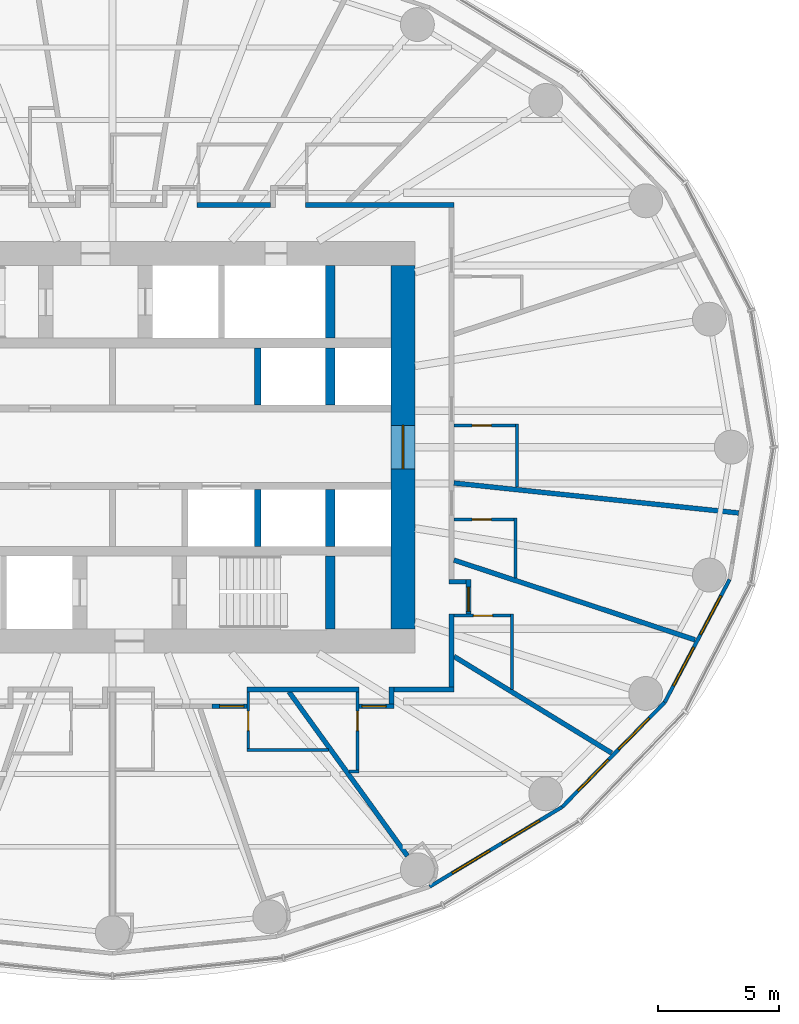
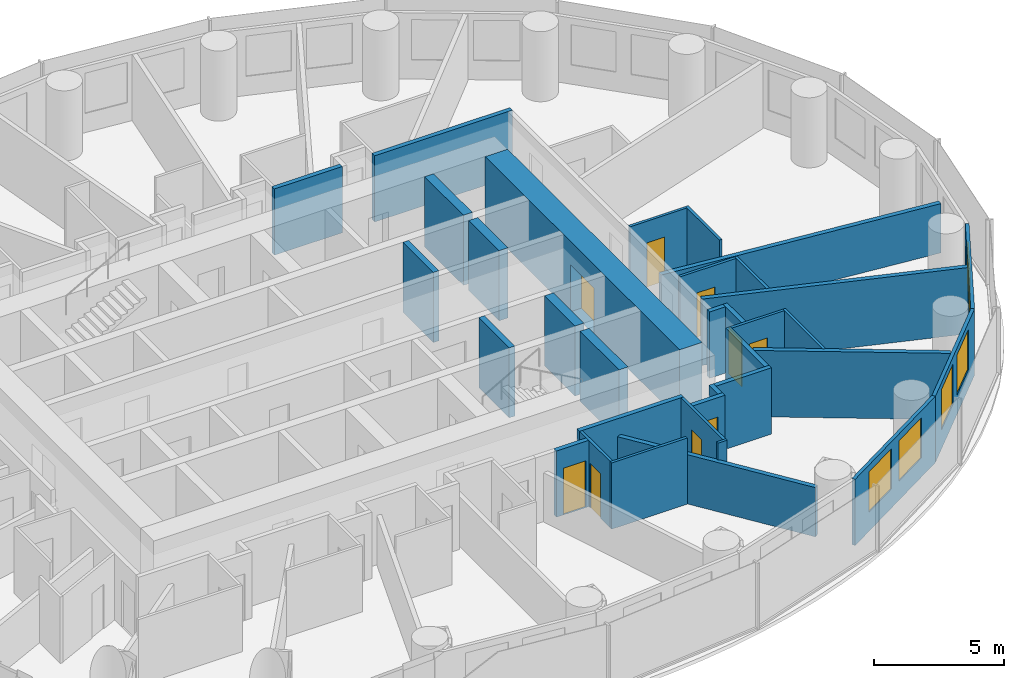
# One storey, part 10 of 14: 34 walls, 9 doors, 6 windows, 15 openings.
"""IFC4 building model written with IfcOpenShell, lengths in metres."""

from ifc_helpers import new_model, si_unit, direction, frame, frame_2d, origin, place, context, subcontext, project, spatial, rectangle, extrude, material, layer, layer_set, type_object, element, fill, save


model = new_model("IFC4")

# Units and contexts
model_context = context("Model", 3, precision=1e-05, world=origin(), true_north=direction((0.0, 1.0)))
body_context = subcontext(model_context, "Body", "Model", "MODEL_VIEW")
ifc_project = project(units=[si_unit("LENGTHUNIT", "METRE"), si_unit("AREAUNIT", "SQUARE_METRE"), si_unit("VOLUMEUNIT", "CUBIC_METRE"), si_unit("PLANEANGLEUNIT", "RADIAN"), si_unit("MASSUNIT", "GRAM", prefix="KILO")], contexts=[model_context])

# Site, building, storey
site_placement = place(None, origin())
site = spatial("IfcSite", under=ifc_project, at=site_placement, CompositionType="ELEMENT")
building_placement = place(site_placement, origin())
building = spatial("IfcBuilding", under=site, at=building_placement, Name="Hankou Lantern Tower", CompositionType="ELEMENT")
storey_placement = place(building_placement, frame((0.0, 0.0, 50.699951171875)))
storey = spatial("IfcBuildingStorey", under=building, at=storey_placement, Name="L11", CompositionType="ELEMENT", Elevation=50.699951171875)

# Wall, opening, door
ifc_material_1 = material(Name="Concrete C60", Category="concrete")
ifc_layer_1 = layer(ifc_material_1, 1.0)
ifc_layer_set_1 = layer_set([ifc_layer_1], Name="Concrete C60")
wall_type_1 = type_object("IfcWallType", Name="CW1 CORE WALL 1000", PredefinedType="SHEAR", material=ifc_layer_set_1)
wall_1_placement = place(storey_placement, frame((12.0, -7.5, 0.0), z_axis=(0.0, 0.0, 1.0), x_axis=(0.0, 1.0, 0.0)))
wall_1 = element("IfcWall", 1, at=wall_1_placement, inside=storey, type_object=wall_type_1, Name="Core wall east L11", PredefinedType="SHEAR", context=body_context, shape_type="SweptSolid", body=[
    extrude(rectangle(XDim=15.0, YDim=1.0, at=frame_2d((7.5, 0.0))), origin(), (0.0, 0.0, 1.0), 3.300048828125),
])
opening_1_placement = place(wall_1_placement, frame((6.60009765625, 0.0, 0.0)))
opening_1 = element("IfcOpeningElement", 2, at=opening_1_placement, cuts=wall_1, Name="Opening D6", PredefinedType="OPENING", context=body_context, shape_type="SweptSolid", body=[
    extrude(rectangle(XDim=1.800048828125, YDim=2.199951171875, at=frame_2d((0.89990234375, 1.10009765625))), frame((0.0, 0.510009765625, 0.0), z_axis=(0.0, -1.0, 0.0), x_axis=(1.0, 0.0, 0.0)), (0.0, 0.0, 1.0), 1.02001953125),
])
ifc_material_2 = material(Name="Steel door leaf", Category="steel")
door_type_1 = type_object("IfcDoorType", Name="D6 LIFT LOBBY DOOR 1800X2200", OperationType="DOUBLE_DOOR_DOUBLE_SWING", PredefinedType="DOOR", material=ifc_material_2)
door_1_placement = place(opening_1_placement, origin())
door_1 = element("IfcDoor", 3, at=door_1_placement, inside=storey, type_object=door_type_1, Name="Lift lobby east door", OperationType="DOUBLE_DOOR_DOUBLE_SWING", OverallHeight=2.199951171875, OverallWidth=1.800048828125, PredefinedType="DOOR", context=body_context, shape_type="SweptSolid", body=[
    extrude(rectangle(XDim=1.800048828125, YDim=2.199951171875, at=frame_2d((0.89990234375, 1.10009765625))), frame((0.0, 0.02490234375, 0.0), z_axis=(0.0, -1.0, 0.0), x_axis=(1.0, 0.0, 0.0)), (0.0, 0.0, 1.0), 0.050048828125),
])
fill(opening_1, door_1)

# Walls
ifc_material_3 = material(Name="Concrete C60", Category="concrete")
ifc_layer_2 = layer(ifc_material_3, 0.39990234375)
ifc_layer_set_2 = layer_set([ifc_layer_2], Name="Concrete C60")
wall_type_2 = type_object("IfcWallType", Name="CW4 CORE CROSS WALL 400", PredefinedType="SHEAR", material=ifc_layer_set_2)
wall_2_placement = place(storey_placement, frame((9.0, 4.5, 0.0), z_axis=(0.0, 0.0, 1.0), x_axis=(0.0, 1.0, 0.0)))
element("IfcWall", 4, at=wall_2_placement, inside=storey, type_object=wall_type_2, Name="Core strip wall L11", PredefinedType="SHEAR", context=body_context, shape_type="SweptSolid", body=[
    extrude(rectangle(XDim=3.0, YDim=0.39990234375, at=frame_2d((1.5, 0.0))), origin(), (0.0, 0.0, 1.0), 3.300048828125),
])
for number, where, z_axis, x_axis, name in (
    (5, (9.0, 1.75, 0.0), (0.0, 0.0, 1.0), (0.0, 1.0, 0.0), "Core strip wall L11"),
    (6, (9.0, -4.10009765625, 0.0), (0.0, 0.0, 1.0), (0.0, 1.0, 0.0), "Core strip wall L11"),
):
    element("IfcWall", number, at=place(storey_placement, frame(where, z_axis=z_axis, x_axis=x_axis)), inside=storey, type_object=wall_type_2, Name=name, PredefinedType="SHEAR", context=body_context, shape_type="SweptSolid", body=[
        extrude(rectangle(XDim=2.35009765625, YDim=0.39990234375, at=frame_2d((1.175048828125, 0.0))), origin(), (0.0, 0.0, 1.0), 3.300048828125),
    ])
wall_3_placement = place(storey_placement, frame((9.0, -7.5, 0.0), z_axis=(0.0, 0.0, 1.0), x_axis=(0.0, 1.0, 0.0)))
element("IfcWall", 7, at=wall_3_placement, inside=storey, type_object=wall_type_2, Name="Core strip wall L11", PredefinedType="SHEAR", context=body_context, shape_type="SweptSolid", body=[
    extrude(rectangle(XDim=3.0, YDim=0.39990234375, at=frame_2d((1.5, 0.0))), origin(), (0.0, 0.0, 1.0), 3.300048828125),
])

# Wall, openings, windows
ifc_material_4 = material(Name="Aluminium spandrel panel on steel studs", Category="steel")
ifc_layer_3 = layer(ifc_material_4, 0.14990234375)
ifc_layer_set_3 = layer_set([ifc_layer_3], Name="Aluminium spandrel panel on steel studs")
wall_type_3 = type_object("IfcWallType", Name="EW1 INNER SKIN WALL 150", PredefinedType="ELEMENTEDWALL", material=ifc_layer_set_3)
wall_4_placement = place(storey_placement, frame((13.096435546875, -18.14697265625, 0.0), z_axis=(0.0, 0.0, 1.0), x_axis=(0.856983180864, 0.515344377787, 0.0)))
wall_4 = element("IfcWall", 8, at=wall_4_placement, inside=storey, type_object=wall_type_3, Name="Inner skin R21-R22 L11", PredefinedType="ELEMENTEDWALL", context=body_context, shape_type="SweptSolid", body=[
    extrude(rectangle(XDim=6.386474609375, YDim=0.14990234375, at=frame_2d((3.193359375, 0.0))), origin(), (0.0, 0.0, 1.0), 3.1201171875),
])
opening_2_placement = place(wall_4_placement, frame((1.09326171875, 0.0, 0.89990234375)))
opening_2 = element("IfcOpeningElement", 9, at=opening_2_placement, cuts=wall_4, Name="Opening W1", PredefinedType="OPENING", context=body_context, shape_type="SweptSolid", body=[
    extrude(rectangle(XDim=1.800048828125, YDim=1.89990234375, at=frame_2d((0.89990234375, 0.949951171875))), frame((0.0, 0.0849609375, 0.0), z_axis=(0.0, -1.0, 0.0), x_axis=(1.0, 0.0, 0.0)), (0.0, 0.0, 1.0), 0.169921875),
])
opening_3_placement = place(wall_4_placement, frame((3.4931640625, 0.0, 0.89990234375)))
opening_3 = element("IfcOpeningElement", 10, at=opening_3_placement, cuts=wall_4, Name="Opening W1", PredefinedType="OPENING", context=body_context, shape_type="SweptSolid", body=[
    extrude(rectangle(XDim=1.800048828125, YDim=1.89990234375, at=frame_2d((0.89990234375, 0.949951171875))), frame((0.0, 0.0849609375, 0.0), z_axis=(0.0, -1.0, 0.0), x_axis=(1.0, 0.0, 0.0)), (0.0, 0.0, 1.0), 0.169921875),
])
ifc_material_5 = material(Name="Aluminium framed double glazed window", Category="aluminium")
window_type = type_object("IfcWindowType", Name="W1 GUEST ROOM WINDOW 1800X1900", PartitioningType="DOUBLE_PANEL_VERTICAL", PredefinedType="WINDOW", material=ifc_material_5)
window_1_placement = place(opening_2_placement, origin())
window_1 = element("IfcWindow", 11, at=window_1_placement, inside=storey, type_object=window_type, Name="Window R21.1 L11", OverallHeight=1.89990234375, OverallWidth=1.800048828125, PartitioningType="SINGLE_PANEL", PredefinedType="WINDOW", context=body_context, shape_type="SweptSolid", body=[
    extrude(rectangle(XDim=1.800048828125, YDim=1.89990234375, at=frame_2d((0.89990234375, 0.949951171875))), frame((0.0, 0.030029296875, 0.0), z_axis=(0.0, -1.0, 0.0), x_axis=(1.0, 0.0, 0.0)), (0.0, 0.0, 1.0), 0.06005859375),
])
fill(opening_2, window_1)
window_2_placement = place(opening_3_placement, origin())
window_2 = element("IfcWindow", 12, at=window_2_placement, inside=storey, type_object=window_type, Name="Window R21.2 L11", OverallHeight=1.89990234375, OverallWidth=1.800048828125, PartitioningType="SINGLE_PANEL", PredefinedType="WINDOW", context=body_context, shape_type="SweptSolid", body=[
    extrude(rectangle(XDim=1.800048828125, YDim=1.89990234375, at=frame_2d((0.89990234375, 0.949951171875))), frame((0.0, 0.030029296875, 0.0), z_axis=(0.0, -1.0, 0.0), x_axis=(1.0, 0.0, 0.0)), (0.0, 0.0, 1.0), 0.06005859375),
])
fill(opening_3, window_2)

wall_5_placement = place(storey_placement, frame((18.569580078125, -14.855712890625, 0.0), z_axis=(0.0, 0.0, 1.0), x_axis=(0.699602905915, 0.714531856557, 0.0)))
wall_5 = element("IfcWall", 13, at=wall_5_placement, inside=storey, type_object=wall_type_3, Name="Inner skin R22-R23 L11", PredefinedType="ELEMENTEDWALL", context=body_context, shape_type="SweptSolid", body=[
    extrude(rectangle(XDim=6.05078125, YDim=0.14990234375, at=frame_2d((3.025390625, 0.0))), origin(), (0.0, 0.0, 1.0), 3.1201171875),
])
opening_4_placement = place(wall_5_placement, frame((0.925537109375, 0.0, 0.89990234375)))
opening_4 = element("IfcOpeningElement", 14, at=opening_4_placement, cuts=wall_5, Name="Opening W1", PredefinedType="OPENING", context=body_context, shape_type="SweptSolid", body=[
    extrude(rectangle(XDim=1.800048828125, YDim=1.89990234375, at=frame_2d((0.89990234375, 0.949951171875))), frame((0.0, 0.0849609375, 0.0), z_axis=(0.0, -1.0, 0.0), x_axis=(1.0, 0.0, 0.0)), (0.0, 0.0, 1.0), 0.169921875),
])
opening_5_placement = place(wall_5_placement, frame((3.325439453125, 0.0, 0.89990234375)))
opening_5 = element("IfcOpeningElement", 15, at=opening_5_placement, cuts=wall_5, Name="Opening W1", PredefinedType="OPENING", context=body_context, shape_type="SweptSolid", body=[
    extrude(rectangle(XDim=1.800048828125, YDim=1.89990234375, at=frame_2d((0.89990234375, 0.949951171875))), frame((0.0, 0.0849609375, 0.0), z_axis=(0.0, -1.0, 0.0), x_axis=(1.0, 0.0, 0.0)), (0.0, 0.0, 1.0), 0.169921875),
])
window_3_placement = place(opening_4_placement, origin())
window_3 = element("IfcWindow", 16, at=window_3_placement, inside=storey, type_object=window_type, Name="Window R22.1 L11", OverallHeight=1.89990234375, OverallWidth=1.800048828125, PartitioningType="SINGLE_PANEL", PredefinedType="WINDOW", context=body_context, shape_type="SweptSolid", body=[
    extrude(rectangle(XDim=1.800048828125, YDim=1.89990234375, at=frame_2d((0.89990234375, 0.949951171875))), frame((0.0, 0.030029296875, 0.0), z_axis=(0.0, -1.0, 0.0), x_axis=(1.0, 0.0, 0.0)), (0.0, 0.0, 1.0), 0.06005859375),
])
fill(opening_4, window_3)
window_4_placement = place(opening_5_placement, origin())
window_4 = element("IfcWindow", 17, at=window_4_placement, inside=storey, type_object=window_type, Name="Window R22.2 L11", OverallHeight=1.89990234375, OverallWidth=1.800048828125, PartitioningType="SINGLE_PANEL", PredefinedType="WINDOW", context=body_context, shape_type="SweptSolid", body=[
    extrude(rectangle(XDim=1.800048828125, YDim=1.89990234375, at=frame_2d((0.89990234375, 0.949951171875))), frame((0.0, 0.030029296875, 0.0), z_axis=(0.0, -1.0, 0.0), x_axis=(1.0, 0.0, 0.0)), (0.0, 0.0, 1.0), 0.06005859375),
])
fill(opening_5, window_4)

wall_6_placement = place(storey_placement, frame((22.802734375, -10.5322265625, 0.0), z_axis=(0.0, 0.0, 1.0), x_axis=(0.467296867008, 0.884100468321, 0.0)))
wall_6 = element("IfcWall", 18, at=wall_6_placement, inside=storey, type_object=wall_type_3, Name="Inner skin R23-R24 L11", PredefinedType="ELEMENTEDWALL", context=body_context, shape_type="SweptSolid", body=[
    extrude(rectangle(XDim=5.734375, YDim=0.14990234375, at=frame_2d((2.8671875, 0.0))), origin(), (0.0, 0.0, 1.0), 3.1201171875),
])
opening_6_placement = place(wall_6_placement, frame((0.76708984375, 0.0, 0.89990234375)))
opening_6 = element("IfcOpeningElement", 19, at=opening_6_placement, cuts=wall_6, Name="Opening W1", PredefinedType="OPENING", context=body_context, shape_type="SweptSolid", body=[
    extrude(rectangle(XDim=1.800048828125, YDim=1.89990234375, at=frame_2d((0.89990234375, 0.949951171875))), frame((0.0, 0.0849609375, 0.0), z_axis=(0.0, -1.0, 0.0), x_axis=(1.0, 0.0, 0.0)), (0.0, 0.0, 1.0), 0.169921875),
])
opening_7_placement = place(wall_6_placement, frame((3.167236328125, 0.0, 0.89990234375)))
opening_7 = element("IfcOpeningElement", 20, at=opening_7_placement, cuts=wall_6, Name="Opening W1", PredefinedType="OPENING", context=body_context, shape_type="SweptSolid", body=[
    extrude(rectangle(XDim=1.800048828125, YDim=1.89990234375, at=frame_2d((0.89990234375, 0.949951171875))), frame((0.0, 0.0849609375, 0.0), z_axis=(0.0, -1.0, 0.0), x_axis=(1.0, 0.0, 0.0)), (0.0, 0.0, 1.0), 0.169921875),
])
window_5_placement = place(opening_6_placement, origin())
window_5 = element("IfcWindow", 21, at=window_5_placement, inside=storey, type_object=window_type, Name="Window R23.1 L11", OverallHeight=1.89990234375, OverallWidth=1.800048828125, PartitioningType="SINGLE_PANEL", PredefinedType="WINDOW", context=body_context, shape_type="SweptSolid", body=[
    extrude(rectangle(XDim=1.800048828125, YDim=1.89990234375, at=frame_2d((0.89990234375, 0.949951171875))), frame((0.0, 0.030029296875, 0.0), z_axis=(0.0, -1.0, 0.0), x_axis=(1.0, 0.0, 0.0)), (0.0, 0.0, 1.0), 0.06005859375),
])
fill(opening_6, window_5)
window_6_placement = place(opening_7_placement, origin())
window_6 = element("IfcWindow", 22, at=window_6_placement, inside=storey, type_object=window_type, Name="Window R23.2 L11", OverallHeight=1.89990234375, OverallWidth=1.800048828125, PartitioningType="SINGLE_PANEL", PredefinedType="WINDOW", context=body_context, shape_type="SweptSolid", body=[
    extrude(rectangle(XDim=1.800048828125, YDim=1.89990234375, at=frame_2d((0.89990234375, 0.949951171875))), frame((0.0, 0.030029296875, 0.0), z_axis=(0.0, -1.0, 0.0), x_axis=(1.0, 0.0, 0.0)), (0.0, 0.0, 1.0), 0.06005859375),
])
fill(opening_7, window_6)

# Walls
ifc_material_6 = material(Name="Masonry lightweight concrete block", Category="masonry")
ifc_layer_4 = layer(ifc_material_6, 0.199951171875)
ifc_layer_set_4 = layer_set([ifc_layer_4], Name="Masonry lightweight concrete block")
wall_type_4 = type_object("IfcWallType", Name="IW1 GUEST ROOM PARTY WALL 200", PredefinedType="PARTITIONING", material=ifc_layer_set_4)
wall_7_placement = place(storey_placement, frame((7.2890625, -10.10009765625, 0.0), z_axis=(0.0, 0.0, 1.0), x_axis=(0.585198353053, -0.810890182197, 0.0)))
element("IfcWall", 23, at=wall_7_placement, inside=storey, type_object=wall_type_4, Name="Party wall R21", PredefinedType="PARTITIONING", context=body_context, shape_type="SweptSolid", body=[
    extrude(rectangle(XDim=8.359619140625, YDim=0.199951171875, at=frame_2d((4.1796875, 0.0))), origin(), (0.0, 0.0, 1.0), 2.320068359375),
])
wall_8_placement = place(storey_placement, frame((14.10009765625, -8.638916015625, 0.0), z_axis=(0.0, 0.0, 1.0), x_axis=(0.852672493023, -0.522445805459, 0.0)))
element("IfcWall", 24, at=wall_8_placement, inside=storey, type_object=wall_type_4, Name="Party wall R22-R23", PredefinedType="PARTITIONING", context=body_context, shape_type="SweptSolid", body=[
    extrude(rectangle(XDim=7.63330078125, YDim=0.199951171875, at=frame_2d((3.816650390625, 0.0))), origin(), (0.0, 0.0, 1.0), 3.1201171875),
])
wall_9_placement = place(storey_placement, frame((14.10009765625, -4.6630859375, 0.0), z_axis=(0.0, 0.0, 1.0), x_axis=(0.949432655039, -0.31397075269, 0.0)))
element("IfcWall", 25, at=wall_9_placement, inside=storey, type_object=wall_type_4, Name="Party wall R23-R24", PredefinedType="PARTITIONING", context=body_context, shape_type="SweptSolid", body=[
    extrude(rectangle(XDim=10.48583984375, YDim=0.199951171875, at=frame_2d((5.242919921875, 0.0))), origin(), (0.0, 0.0, 1.0), 3.1201171875),
])
wall_10_placement = place(storey_placement, frame((14.10009765625, -1.48193359375, 0.0), z_axis=(0.0, 0.0, 1.0), x_axis=(0.994522076235, -0.104526742422, 0.0)))
element("IfcWall", 26, at=wall_10_placement, inside=storey, type_object=wall_type_4, Name="Party wall R24-R01", PredefinedType="PARTITIONING", context=body_context, shape_type="SweptSolid", body=[
    extrude(rectangle(XDim=11.82080078125, YDim=0.199951171875, at=frame_2d((5.910400390625, 0.0))), origin(), (0.0, 0.0, 1.0), 2.320068359375),
])

# Wall, opening, door
ifc_material_7 = material(Name="Masonry lightweight concrete block", Category="masonry")
ifc_layer_5 = layer(ifc_material_7, 0.199951171875)
ifc_layer_set_5 = layer_set([ifc_layer_5], Name="Masonry lightweight concrete block")
wall_type_5 = type_object("IfcWallType", Name="IW2 CORRIDOR WALL 200", PredefinedType="PARTITIONING", material=ifc_layer_set_5)
wall_11_placement = place(storey_placement, frame((5.549072265625, -10.699951171875, 0.0), z_axis=(0.0, 0.0, 1.0), x_axis=(-1.0, 0.0, 0.0)))
wall_11 = element("IfcWall", 27, at=wall_11_placement, inside=storey, type_object=wall_type_5, Name="Corridor recess wall 1116 back", PredefinedType="PARTITIONING", context=body_context, shape_type="SweptSolid", body=[
    extrude(rectangle(XDim=1.43994140625, YDim=0.199951171875, at=frame_2d((0.719970703125, 0.0))), origin(), (0.0, 0.0, 1.0), 3.1201171875),
])
opening_8_placement = place(wall_11_placement, frame((0.1201171875, 0.0, 0.0)))
opening_8 = element("IfcOpeningElement", 28, at=opening_8_placement, cuts=wall_11, Name="Opening D1", PredefinedType="OPENING", context=body_context, shape_type="SweptSolid", body=[
    extrude(rectangle(XDim=1.0, YDim=2.199951171875, at=frame_2d((0.5, 1.10009765625))), frame((0.0, 0.10986328125, 0.0), z_axis=(0.0, -1.0, 0.0), x_axis=(1.0, 0.0, 0.0)), (0.0, 0.0, 1.0), 0.219970703125),
])
ifc_material_8 = material(Name="Steel door leaf", Category="steel")
door_type_2 = type_object("IfcDoorType", Name="D1 GUEST ROOM DOOR 1000X2200", OperationType="SINGLE_SWING_LEFT", PredefinedType="DOOR", material=ifc_material_8)
door_2_placement = place(opening_8_placement, origin())
door_2 = element("IfcDoor", 29, at=door_2_placement, inside=storey, type_object=door_type_2, Name="Guest room door 1116", OperationType="SINGLE_SWING_LEFT", OverallHeight=2.199951171875, OverallWidth=1.0, PredefinedType="DOOR", context=body_context, shape_type="SweptSolid", body=[
    extrude(rectangle(XDim=1.0, YDim=2.199951171875, at=frame_2d((0.5, 1.10009765625))), frame((0.0, 0.02490234375, 0.0), z_axis=(0.0, -1.0, 0.0), x_axis=(1.0, 0.0, 0.0)), (0.0, 0.0, 1.0), 0.050048828125),
])
fill(opening_8, door_2)

wall_12_placement = place(storey_placement, frame((11.619140625, -10.699951171875, 0.0), z_axis=(0.0, 0.0, 1.0), x_axis=(-1.0, 0.0, 0.0)))
wall_12 = element("IfcWall", 30, at=wall_12_placement, inside=storey, type_object=wall_type_5, Name="Corridor recess wall 1117 back", PredefinedType="PARTITIONING", context=body_context, shape_type="SweptSolid", body=[
    extrude(rectangle(XDim=1.440185546875, YDim=0.199951171875, at=frame_2d((0.72021484375, 0.0))), origin(), (0.0, 0.0, 1.0), 3.1201171875),
])
opening_9_placement = place(wall_12_placement, frame((0.320068359375, 0.0, 0.0)))
opening_9 = element("IfcOpeningElement", 31, at=opening_9_placement, cuts=wall_12, Name="Opening D1", PredefinedType="OPENING", context=body_context, shape_type="SweptSolid", body=[
    extrude(rectangle(XDim=1.0, YDim=2.199951171875, at=frame_2d((0.5, 1.10009765625))), frame((0.0, 0.10986328125, 0.0), z_axis=(0.0, -1.0, 0.0), x_axis=(1.0, 0.0, 0.0)), (0.0, 0.0, 1.0), 0.219970703125),
])
door_3_placement = place(opening_9_placement, origin())
door_3 = element("IfcDoor", 32, at=door_3_placement, inside=storey, type_object=door_type_2, Name="Guest room door 1117", OperationType="SINGLE_SWING_RIGHT", OverallHeight=2.199951171875, OverallWidth=1.0, PredefinedType="DOOR", context=body_context, shape_type="SweptSolid", body=[
    extrude(rectangle(XDim=1.0, YDim=2.199951171875, at=frame_2d((0.5, 1.10009765625))), frame((0.0, 0.02490234375, 0.0), z_axis=(0.0, -1.0, 0.0), x_axis=(1.0, 0.0, 0.0)), (0.0, 0.0, 1.0), 0.050048828125),
])
fill(opening_9, door_3)

# Wall
wall_13_placement = place(storey_placement, frame((11.51904296875, -9.89990234375, 0.0), z_axis=(0.0, 0.0, 1.0), x_axis=(0.0, -1.0, 0.0)))
element("IfcWall", 33, at=wall_13_placement, inside=storey, type_object=wall_type_5, Name="Corridor recess wall 1117 side", PredefinedType="PARTITIONING", context=body_context, shape_type="SweptSolid", body=[
    extrude(rectangle(XDim=0.7001953125, YDim=0.199951171875, at=frame_2d((0.35009765625, 0.0))), origin(), (0.0, 0.0, 1.0), 3.1201171875),
])

# Wall, opening, door
wall_14_placement = place(storey_placement, frame((14.699951171875, -6.89892578125, 0.0), z_axis=(0.0, 0.0, 1.0), x_axis=(0.0, 1.0, 0.0)))
wall_14 = element("IfcWall", 34, at=wall_14_placement, inside=storey, type_object=wall_type_5, Name="Corridor recess wall 1118 back", PredefinedType="PARTITIONING", context=body_context, shape_type="SweptSolid", body=[
    extrude(rectangle(XDim=1.43994140625, YDim=0.199951171875, at=frame_2d((0.719970703125, 0.0))), origin(), (0.0, 0.0, 1.0), 3.1201171875),
])
opening_10_placement = place(wall_14_placement, frame((0.1201171875, 0.0, 0.0)))
opening_10 = element("IfcOpeningElement", 35, at=opening_10_placement, cuts=wall_14, Name="Opening D1", PredefinedType="OPENING", context=body_context, shape_type="SweptSolid", body=[
    extrude(rectangle(XDim=1.0, YDim=2.199951171875, at=frame_2d((0.5, 1.10009765625))), frame((0.0, 0.10986328125, 0.0), z_axis=(0.0, -1.0, 0.0), x_axis=(1.0, 0.0, 0.0)), (0.0, 0.0, 1.0), 0.219970703125),
])
door_4_placement = place(opening_10_placement, origin())
door_4 = element("IfcDoor", 36, at=door_4_placement, inside=storey, type_object=door_type_2, Name="Guest room door 1118", OperationType="SINGLE_SWING_LEFT", OverallHeight=2.199951171875, OverallWidth=1.0, PredefinedType="DOOR", context=body_context, shape_type="SweptSolid", body=[
    extrude(rectangle(XDim=1.0, YDim=2.199951171875, at=frame_2d((0.5, 1.10009765625))), frame((0.0, 0.02490234375, 0.0), z_axis=(0.0, -1.0, 0.0), x_axis=(1.0, 0.0, 0.0)), (0.0, 0.0, 1.0), 0.050048828125),
])
fill(opening_10, door_4)

# Walls
wall_15_placement = place(storey_placement, frame((13.89990234375, -5.55908203125, 0.0), z_axis=(0.0, 0.0, 1.0), x_axis=(1.0, 0.0, 0.0)))
element("IfcWall", 37, at=wall_15_placement, inside=storey, type_object=wall_type_5, Name="Corridor recess wall 1118 side", PredefinedType="PARTITIONING", context=body_context, shape_type="SweptSolid", body=[
    extrude(rectangle(XDim=0.7001953125, YDim=0.199951171875, at=frame_2d((0.35009765625, 0.0))), origin(), (0.0, 0.0, 1.0), 3.1201171875),
])
wall_16_placement = place(storey_placement, frame((3.49853515625, 10.0, 0.0), z_axis=(0.0, 0.0, 1.0), x_axis=(1.0, 0.0, 0.0)))
element("IfcWall", 38, at=wall_16_placement, inside=storey, type_object=wall_type_5, Name="Corridor wall north", PredefinedType="PARTITIONING", context=body_context, shape_type="SweptSolid", body=[
    extrude(rectangle(XDim=3.026611328125, YDim=0.199951171875, at=frame_2d((1.51318359375, 0.0))), origin(), (0.0, 0.0, 1.0), 3.1201171875),
])
wall_17_placement = place(storey_placement, frame((7.965087890625, 10.0, 0.0), z_axis=(0.0, 0.0, 1.0), x_axis=(1.0, 0.0, 0.0)))
element("IfcWall", 39, at=wall_17_placement, inside=storey, type_object=wall_type_5, Name="Corridor wall north", PredefinedType="PARTITIONING", context=body_context, shape_type="SweptSolid", body=[
    extrude(rectangle(XDim=6.135009765625, YDim=0.199951171875, at=frame_2d((3.0673828125, 0.0))), origin(), (0.0, 0.0, 1.0), 3.1201171875),
])
wall_18_placement = place(storey_placement, frame((14.10009765625, -10.0, 0.0), z_axis=(0.0, 0.0, 1.0), x_axis=(-1.0, 0.0, 0.0)))
element("IfcWall", 40, at=wall_18_placement, inside=storey, type_object=wall_type_5, Name="Corridor wall south", PredefinedType="PARTITIONING", context=body_context, shape_type="SweptSolid", body=[
    extrude(rectangle(XDim=2.48095703125, YDim=0.199951171875, at=frame_2d((1.240478515625, 0.0))), origin(), (0.0, 0.0, 1.0), 3.1201171875),
])
wall_19_placement = place(storey_placement, frame((10.178955078125, -10.0, 0.0), z_axis=(0.0, 0.0, 1.0), x_axis=(-1.0, 0.0, 0.0)))
element("IfcWall", 41, at=wall_19_placement, inside=storey, type_object=wall_type_5, Name="Corridor wall south", PredefinedType="PARTITIONING", context=body_context, shape_type="SweptSolid", body=[
    extrude(rectangle(XDim=4.6298828125, YDim=0.199951171875, at=frame_2d((2.31494140625, 0.0))), origin(), (0.0, 0.0, 1.0), 3.1201171875),
])
wall_20_placement = place(storey_placement, frame((14.0, -9.89990234375, 0.0), z_axis=(0.0, 0.0, 1.0), x_axis=(0.0, 1.0, 0.0)))
element("IfcWall", 42, at=wall_20_placement, inside=storey, type_object=wall_type_5, Name="Corridor wall east", PredefinedType="PARTITIONING", context=body_context, shape_type="SweptSolid", body=[
    extrude(rectangle(XDim=3.0009765625, YDim=0.199951171875, at=frame_2d((1.50048828125, 0.0))), origin(), (0.0, 0.0, 1.0), 3.1201171875),
])
ifc_material_9 = material(Name="Masonry lightweight concrete block", Category="masonry")
ifc_layer_6 = layer(ifc_material_9, 0.1201171875)
ifc_layer_set_6 = layer_set([ifc_layer_6], Name="Masonry lightweight concrete block")
wall_type_6 = type_object("IfcWallType", Name="IW3 BATHROOM WALL 120", PredefinedType="PARTITIONING", material=ifc_layer_set_6)
wall_21_placement = place(storey_placement, frame((8.921142578125, -12.5, 0.0), z_axis=(0.0, 0.0, 1.0), x_axis=(-1.0, 0.0, 0.0)))
element("IfcWall", 43, at=wall_21_placement, inside=storey, type_object=wall_type_6, Name="Box wall 1116 1", PredefinedType="PARTITIONING", context=body_context, shape_type="SweptSolid", body=[
    extrude(rectangle(XDim=3.3720703125, YDim=0.1201171875, at=frame_2d((1.68603515625, 0.0))), origin(), (0.0, 0.0, 1.0), 3.1201171875),
])

# Wall, opening, door
wall_22_placement = place(storey_placement, frame((5.609130859375, -10.10009765625, 0.0), z_axis=(0.0, 0.0, 1.0), x_axis=(0.0, -1.0, 0.0)))
wall_22 = element("IfcWall", 44, at=wall_22_placement, inside=storey, type_object=wall_type_6, Name="Box wall 1116 1", PredefinedType="PARTITIONING", context=body_context, shape_type="SweptSolid", body=[
    extrude(rectangle(XDim=2.33984375, YDim=0.1201171875, at=frame_2d((1.169921875, 0.0))), origin(), (0.0, 0.0, 1.0), 3.1201171875),
])
opening_11_placement = place(wall_22_placement, frame((0.800048828125, 0.0, 0.0)))
opening_11 = element("IfcOpeningElement", 45, at=opening_11_placement, cuts=wall_22, Name="Opening D3", PredefinedType="OPENING", context=body_context, shape_type="SweptSolid", body=[
    extrude(rectangle(XDim=0.800048828125, YDim=2.10009765625, at=frame_2d((0.39990234375, 1.050048828125))), frame((0.0, 0.070068359375, 0.0), z_axis=(0.0, -1.0, 0.0), x_axis=(1.0, 0.0, 0.0)), (0.0, 0.0, 1.0), 0.14013671875),
])
ifc_material_10 = material(Name="Timber door leaf", Category="wood")
door_type_3 = type_object("IfcDoorType", Name="D3 BATHROOM DOOR 800X2100", OperationType="SINGLE_SWING_LEFT", PredefinedType="DOOR", material=ifc_material_10)
door_5_placement = place(opening_11_placement, origin())
door_5 = element("IfcDoor", 46, at=door_5_placement, inside=storey, type_object=door_type_3, Name="En-suite bathroom 1116 door", OperationType="SINGLE_SWING_RIGHT", OverallHeight=2.10009765625, OverallWidth=0.800048828125, PredefinedType="DOOR", context=body_context, shape_type="SweptSolid", body=[
    extrude(rectangle(XDim=0.800048828125, YDim=2.10009765625, at=frame_2d((0.39990234375, 1.050048828125))), frame((0.0, 0.02490234375, 0.0), z_axis=(0.0, -1.0, 0.0), x_axis=(1.0, 0.0, 0.0)), (0.0, 0.0, 1.0), 0.050048828125),
])
fill(opening_11, door_5)

# Wall
wall_23_placement = place(storey_placement, frame((9.7705078125, -13.39990234375, 0.0), z_axis=(0.0, 0.0, 1.0), x_axis=(1.0, 0.0, 0.0)))
element("IfcWall", 47, at=wall_23_placement, inside=storey, type_object=wall_type_6, Name="Box wall 1117 1", PredefinedType="PARTITIONING", context=body_context, shape_type="SweptSolid", body=[
    extrude(rectangle(XDim=0.408447265625, YDim=0.1201171875, at=frame_2d((0.2041015625, 0.0))), origin(), (0.0, 0.0, 1.0), 3.1201171875),
])

# Wall, opening, door
wall_24_placement = place(storey_placement, frame((10.119140625, -10.10009765625, 0.0), z_axis=(0.0, 0.0, 1.0), x_axis=(0.0, -1.0, 0.0)))
wall_24 = element("IfcWall", 48, at=wall_24_placement, inside=storey, type_object=wall_type_6, Name="Box wall 1117 1", PredefinedType="PARTITIONING", context=body_context, shape_type="SweptSolid", body=[
    extrude(rectangle(XDim=3.239990234375, YDim=0.1201171875, at=frame_2d((1.6201171875, 0.0))), origin(), (0.0, 0.0, 1.0), 3.1201171875),
])
opening_12_placement = place(wall_24_placement, frame((0.800048828125, 0.0, 0.0)))
opening_12 = element("IfcOpeningElement", 49, at=opening_12_placement, cuts=wall_24, Name="Opening D3", PredefinedType="OPENING", context=body_context, shape_type="SweptSolid", body=[
    extrude(rectangle(XDim=0.800048828125, YDim=2.10009765625, at=frame_2d((0.39990234375, 1.050048828125))), frame((0.0, 0.070068359375, 0.0), z_axis=(0.0, -1.0, 0.0), x_axis=(1.0, 0.0, 0.0)), (0.0, 0.0, 1.0), 0.14013671875),
])
door_6_placement = place(opening_12_placement, origin())
door_6 = element("IfcDoor", 50, at=door_6_placement, inside=storey, type_object=door_type_3, Name="En-suite bathroom 1117 door", OperationType="SINGLE_SWING_LEFT", OverallHeight=2.10009765625, OverallWidth=0.800048828125, PredefinedType="DOOR", context=body_context, shape_type="SweptSolid", body=[
    extrude(rectangle(XDim=0.800048828125, YDim=2.10009765625, at=frame_2d((0.39990234375, 1.050048828125))), frame((0.0, 0.02490234375, 0.0), z_axis=(0.0, -1.0, 0.0), x_axis=(1.0, 0.0, 0.0)), (0.0, 0.0, 1.0), 0.050048828125),
])
fill(opening_12, door_6)

# Wall
wall_25_placement = place(storey_placement, frame((16.5, -10.009521484375, 0.0), z_axis=(0.0, 0.0, 1.0), x_axis=(0.0, 1.0, 0.0)))
element("IfcWall", 51, at=wall_25_placement, inside=storey, type_object=wall_type_6, Name="Box wall 1118 1", PredefinedType="PARTITIONING", context=body_context, shape_type="SweptSolid", body=[
    extrude(rectangle(XDim=3.110595703125, YDim=0.1201171875, at=frame_2d((1.55517578125, 0.0))), origin(), (0.0, 0.0, 1.0), 3.1201171875),
])

# Wall, opening, door
wall_26_placement = place(storey_placement, frame((14.10009765625, -6.958984375, 0.0), z_axis=(0.0, 0.0, 1.0), x_axis=(1.0, 0.0, 0.0)))
wall_26 = element("IfcWall", 52, at=wall_26_placement, inside=storey, type_object=wall_type_6, Name="Box wall 1118 1", PredefinedType="PARTITIONING", context=body_context, shape_type="SweptSolid", body=[
    extrude(rectangle(XDim=2.33984375, YDim=0.1201171875, at=frame_2d((1.169921875, 0.0))), origin(), (0.0, 0.0, 1.0), 3.1201171875),
])
opening_13_placement = place(wall_26_placement, frame((0.800048828125, 0.0, 0.0)))
opening_13 = element("IfcOpeningElement", 53, at=opening_13_placement, cuts=wall_26, Name="Opening D3", PredefinedType="OPENING", context=body_context, shape_type="SweptSolid", body=[
    extrude(rectangle(XDim=0.800048828125, YDim=2.10009765625, at=frame_2d((0.39990234375, 1.050048828125))), frame((0.0, 0.070068359375, 0.0), z_axis=(0.0, -1.0, 0.0), x_axis=(1.0, 0.0, 0.0)), (0.0, 0.0, 1.0), 0.14013671875),
])
door_7_placement = place(opening_13_placement, origin())
door_7 = element("IfcDoor", 54, at=door_7_placement, inside=storey, type_object=door_type_3, Name="En-suite bathroom 1118 door", OperationType="SINGLE_SWING_LEFT", OverallHeight=2.10009765625, OverallWidth=0.800048828125, PredefinedType="DOOR", context=body_context, shape_type="SweptSolid", body=[
    extrude(rectangle(XDim=0.800048828125, YDim=2.10009765625, at=frame_2d((0.39990234375, 1.050048828125))), frame((0.0, 0.02490234375, 0.0), z_axis=(0.0, -1.0, 0.0), x_axis=(1.0, 0.0, 0.0)), (0.0, 0.0, 1.0), 0.050048828125),
])
fill(opening_13, door_7)

# Wall
wall_27_placement = place(storey_placement, frame((16.64990234375, -5.40625, 0.0), z_axis=(0.0, 0.0, 1.0), x_axis=(0.0, 1.0, 0.0)))
element("IfcWall", 55, at=wall_27_placement, inside=storey, type_object=wall_type_6, Name="Box wall 1119 1", PredefinedType="PARTITIONING", context=body_context, shape_type="SweptSolid", body=[
    extrude(rectangle(XDim=2.483154296875, YDim=0.1201171875, at=frame_2d((1.24169921875, 0.0))), origin(), (0.0, 0.0, 1.0), 3.1201171875),
])

# Wall, opening, door
wall_28_placement = place(storey_placement, frame((14.10009765625, -2.98291015625, 0.0), z_axis=(0.0, 0.0, 1.0), x_axis=(1.0, 0.0, 0.0)))
wall_28 = element("IfcWall", 56, at=wall_28_placement, inside=storey, type_object=wall_type_6, Name="Box wall 1119 1", PredefinedType="PARTITIONING", context=body_context, shape_type="SweptSolid", body=[
    extrude(rectangle(XDim=2.489990234375, YDim=0.1201171875, at=frame_2d((1.2451171875, 0.0))), origin(), (0.0, 0.0, 1.0), 3.1201171875),
])
opening_14_placement = place(wall_28_placement, frame((0.75, 0.0, 0.0)))
opening_14 = element("IfcOpeningElement", 57, at=opening_14_placement, cuts=wall_28, Name="Opening D3", PredefinedType="OPENING", context=body_context, shape_type="SweptSolid", body=[
    extrude(rectangle(XDim=0.800048828125, YDim=2.10009765625, at=frame_2d((0.39990234375, 1.050048828125))), frame((0.0, 0.070068359375, 0.0), z_axis=(0.0, -1.0, 0.0), x_axis=(1.0, 0.0, 0.0)), (0.0, 0.0, 1.0), 0.14013671875),
])
door_8_placement = place(opening_14_placement, origin())
door_8 = element("IfcDoor", 58, at=door_8_placement, inside=storey, type_object=door_type_3, Name="En-suite bathroom 1119 door", OperationType="SINGLE_SWING_LEFT", OverallHeight=2.10009765625, OverallWidth=0.800048828125, PredefinedType="DOOR", context=body_context, shape_type="SweptSolid", body=[
    extrude(rectangle(XDim=0.800048828125, YDim=2.10009765625, at=frame_2d((0.39990234375, 1.050048828125))), frame((0.0, 0.02490234375, 0.0), z_axis=(0.0, -1.0, 0.0), x_axis=(1.0, 0.0, 0.0)), (0.0, 0.0, 1.0), 0.050048828125),
])
fill(opening_14, door_8)

# Wall
wall_29_placement = place(storey_placement, frame((16.699951171875, -1.6552734375, 0.0), z_axis=(0.0, 0.0, 1.0), x_axis=(0.0, 1.0, 0.0)))
element("IfcWall", 59, at=wall_29_placement, inside=storey, type_object=wall_type_6, Name="Box wall 1120 1", PredefinedType="PARTITIONING", context=body_context, shape_type="SweptSolid", body=[
    extrude(rectangle(XDim=2.61328125, YDim=0.1201171875, at=frame_2d((1.306640625, 0.0))), origin(), (0.0, 0.0, 1.0), 3.1201171875),
])

# Wall, opening, door
wall_30_placement = place(storey_placement, frame((14.10009765625, 0.89794921875, 0.0), z_axis=(0.0, 0.0, 1.0), x_axis=(1.0, 0.0, 0.0)))
wall_30 = element("IfcWall", 60, at=wall_30_placement, inside=storey, type_object=wall_type_6, Name="Box wall 1120 1", PredefinedType="PARTITIONING", context=body_context, shape_type="SweptSolid", body=[
    extrude(rectangle(XDim=2.539794921875, YDim=0.1201171875, at=frame_2d((1.27001953125, 0.0))), origin(), (0.0, 0.0, 1.0), 3.1201171875),
])
opening_15_placement = place(wall_30_placement, frame((0.75, 0.0, 0.0)))
opening_15 = element("IfcOpeningElement", 61, at=opening_15_placement, cuts=wall_30, Name="Opening D3", PredefinedType="OPENING", context=body_context, shape_type="SweptSolid", body=[
    extrude(rectangle(XDim=0.800048828125, YDim=2.10009765625, at=frame_2d((0.39990234375, 1.050048828125))), frame((0.0, 0.070068359375, 0.0), z_axis=(0.0, -1.0, 0.0), x_axis=(1.0, 0.0, 0.0)), (0.0, 0.0, 1.0), 0.14013671875),
])
door_9_placement = place(opening_15_placement, origin())
door_9 = element("IfcDoor", 62, at=door_9_placement, inside=storey, type_object=door_type_3, Name="Junior suite 1120 bathroom door", OperationType="SINGLE_SWING_LEFT", OverallHeight=2.10009765625, OverallWidth=0.800048828125, PredefinedType="DOOR", context=body_context, shape_type="SweptSolid", body=[
    extrude(rectangle(XDim=0.800048828125, YDim=2.10009765625, at=frame_2d((0.39990234375, 1.050048828125))), frame((0.0, 0.02490234375, 0.0), z_axis=(0.0, -1.0, 0.0), x_axis=(1.0, 0.0, 0.0)), (0.0, 0.0, 1.0), 0.050048828125),
])
fill(opening_15, door_9)

# Walls
ifc_material_11 = material(Name="Masonry autoclaved aerated concrete block", Category="masonry")
ifc_layer_7 = layer(ifc_material_11, 0.25)
ifc_layer_set_7 = layer_set([ifc_layer_7], Name="Masonry autoclaved aerated concrete block")
wall_type_7 = type_object("IfcWallType", Name="SW1 SHAFT BLOCK WALL 250", PredefinedType="PARTITIONING", material=ifc_layer_set_7)
for number, where, z_axis, x_axis, name in (
    (63, (6.0, 1.75, 0.0), (0.0, 0.0, 1.0), (0.0, 1.0, 0.0), "Lift shaft wall L11"),
    (64, (6.0, -4.10009765625, 0.0), (0.0, 0.0, 1.0), (0.0, 1.0, 0.0), "Lift shaft wall L11"),
):
    element("IfcWall", number, at=place(storey_placement, frame(where, z_axis=z_axis, x_axis=x_axis)), inside=storey, type_object=wall_type_7, Name=name, PredefinedType="PARTITIONING", context=body_context, shape_type="SweptSolid", body=[
        extrude(rectangle(XDim=2.35009765625, YDim=0.25, at=frame_2d((1.175048828125, 0.0))), origin(), (0.0, 0.0, 1.0), 3.300048828125),
    ])

save(model, "model.ifc")
